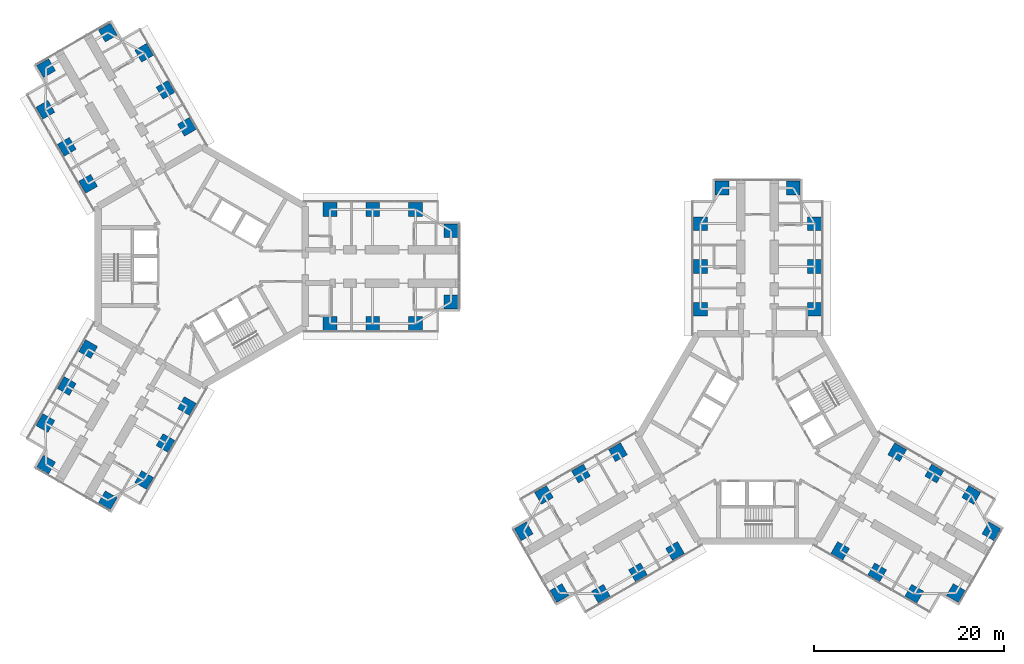
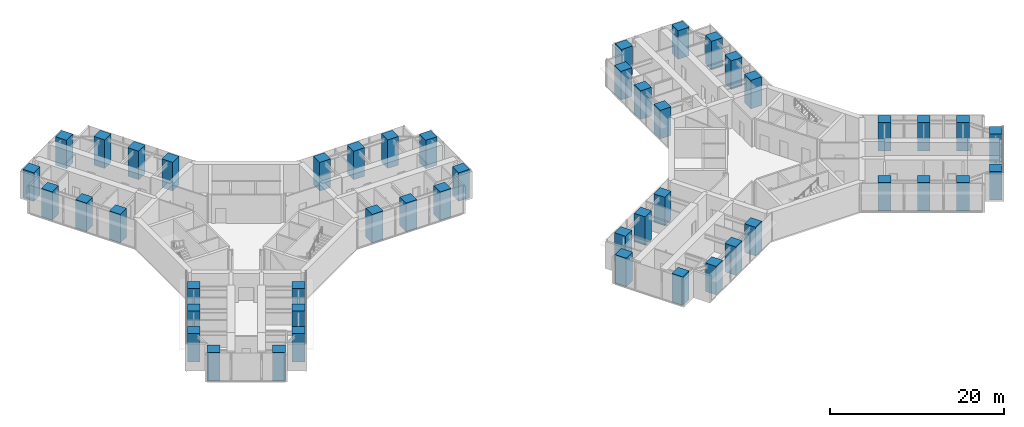
# One storey, part 1 of 24: 48 columns.
"""IFC4 building model written with IfcOpenShell, lengths in metres."""

from ifc_helpers import new_model, si_unit, direction, frame, origin, origin_2d, place, context, subcontext, project, spatial, rectangle, extrude, material, material_profile, profile_set, type_object, element, save


model = new_model("IFC4")

# Units and contexts
model_context = context("Model", 3, precision=1e-05, world=origin(), true_north=direction((0.0, 1.0)))
body_context = subcontext(model_context, "Body", "Model", "MODEL_VIEW")
ifc_project = project(units=[si_unit("LENGTHUNIT", "METRE"), si_unit("AREAUNIT", "SQUARE_METRE"), si_unit("VOLUMEUNIT", "CUBIC_METRE"), si_unit("PLANEANGLEUNIT", "RADIAN"), si_unit("MASSUNIT", "GRAM", prefix="KILO")], contexts=[model_context])

# Site, building, storey
site_placement = place(None, origin())
site = spatial("IfcSite", under=ifc_project, at=site_placement, CompositionType="ELEMENT")
building_placement = place(site_placement, origin())
building = spatial("IfcBuilding", under=site, at=building_placement, Name="Upepo Twin Towers", CompositionType="ELEMENT")
storey_placement = place(building_placement, frame((0.0, 0.0, 48.5)))
storey = spatial("IfcBuildingStorey", under=building, at=storey_placement, Name="L11", CompositionType="ELEMENT", Elevation=48.5)

# Columns
ifc_material = material(Name="Concrete C60/75", Category="concrete")
ifc_material_profile = material_profile(ifc_material, rectangle(XDim=1.449951171875, YDim=1.449951171875, at=origin_2d()), Name="RC 1450x1450")
ifc_profile_set = profile_set([ifc_material_profile], Name="Concrete C60/75")
column_type = type_object("IfcColumnType", Name="Tower column RC 1450x1450", PredefinedType="COLUMN", material=ifc_profile_set)
for number, where, z_axis, x_axis, name in (
    (1, (13.5, 6.0, 0.0), (0.0, 0.0, 1.0), (1.0, 0.0, 0.0), "T1 column AL135"),
    (2, (13.5, -6.0, 0.0), (0.0, 0.0, 1.0), (1.0, 0.0, 0.0), "T1 column AR135"),
    (3, (18.0, 6.0, 0.0), (0.0, 0.0, 1.0), (1.0, 0.0, 0.0), "T1 column AL180"),
    (4, (18.0, -6.0, 0.0), (0.0, 0.0, 1.0), (1.0, 0.0, 0.0), "T1 column AR180"),
    (5, (22.5, 6.0, 0.0), (0.0, 0.0, 1.0), (1.0, 0.0, 0.0), "T1 column AL225"),
    (6, (22.5, -6.0, 0.0), (0.0, 0.0, 1.0), (1.0, 0.0, 0.0), "T1 column AR225"),
    (7, (26.25, 3.75, 0.0), (0.0, 0.0, 1.0), (1.0, 0.0, 0.0), "T1 column ALN"),
    (8, (26.25, -3.75, 0.0), (0.0, 0.0, 1.0), (1.0, 0.0, 0.0), "T1 column ARN"),
    (9, (-11.946044921875, 8.69140625, 0.0), (0.0, 0.0, 1.0), (0.866025403784, 0.5, 0.0), "T1 column BL135"),
    (10, (-1.553955078125, 14.69140625, 0.0), (0.0, 0.0, 1.0), (0.866025403784, 0.5, 0.0), "T1 column BR135"),
    (11, (-14.196044921875, 12.58837890625, 0.0), (0.0, 0.0, 1.0), (0.866025403784, 0.5, 0.0), "T1 column BL180"),
    (12, (-3.803955078125, 18.58837890625, 0.0), (0.0, 0.0, 1.0), (0.866025403784, 0.5, 0.0), "T1 column BR180"),
    (13, (-16.446044921875, 16.485595703125, 0.0), (0.0, 0.0, 1.0), (0.866025403784, 0.5, 0.0), "T1 column BL225"),
    (14, (-6.053955078125, 22.485595703125, 0.0), (0.0, 0.0, 1.0), (0.866025403784, 0.5, 0.0), "T1 column BR225"),
    (15, (-16.37255859375, 20.858154296875, 0.0), (0.0, 0.0, 1.0), (0.866025403784, 0.5, 0.0), "T1 column BLN"),
    (16, (-9.87744140625, 24.608154296875, 0.0), (0.0, 0.0, 1.0), (0.866025403784, 0.5, 0.0), "T1 column BRN"),
    (17, (-1.553955078125, -14.69140625, 0.0), (0.0, 0.0, 1.0), (0.5, 0.866025403784, 0.0), "T1 column CL135"),
    (18, (-11.946044921875, -8.69140625, 0.0), (0.0, 0.0, 1.0), (0.5, 0.866025403784, 0.0), "T1 column CR135"),
    (19, (-3.803955078125, -18.58837890625, 0.0), (0.0, 0.0, 1.0), (0.5, 0.866025403784, 0.0), "T1 column CL180"),
    (20, (-14.196044921875, -12.58837890625, 0.0), (0.0, 0.0, 1.0), (0.5, 0.866025403784, 0.0), "T1 column CR180"),
    (21, (-6.053955078125, -22.485595703125, 0.0), (0.0, 0.0, 1.0), (0.5, 0.866025403784, 0.0), "T1 column CL225"),
    (22, (-16.446044921875, -16.485595703125, 0.0), (0.0, 0.0, 1.0), (0.5, 0.866025403784, 0.0), "T1 column CR225"),
    (23, (-9.87744140625, -24.608154296875, 0.0), (0.0, 0.0, 1.0), (0.5, 0.866025403784, 0.0), "T1 column CLN"),
    (24, (-16.37255859375, -20.858154296875, 0.0), (0.0, 0.0, 1.0), (0.5, 0.866025403784, 0.0), "T1 column CRN"),
    (25, (52.5, -4.5, 0.0), (0.0, 0.0, 1.0), (1.0, 0.0, 0.0), "T2 column AL135"),
    (26, (64.5, -4.5, 0.0), (0.0, 0.0, 1.0), (1.0, 0.0, 0.0), "T2 column AR135"),
    (27, (52.5, 0.0, 0.0), (0.0, 0.0, 1.0), (1.0, 0.0, 0.0), "T2 column AL180"),
    (28, (64.5, 0.0, 0.0), (0.0, 0.0, 1.0), (1.0, 0.0, 0.0), "T2 column AR180"),
    (29, (52.5, 4.5, 0.0), (0.0, 0.0, 1.0), (1.0, 0.0, 0.0), "T2 column AL225"),
    (30, (64.5, 4.5, 0.0), (0.0, 0.0, 1.0), (1.0, 0.0, 0.0), "T2 column AR225"),
    (31, (54.75, 8.25, 0.0), (0.0, 0.0, 1.0), (1.0, 0.0, 0.0), "T2 column ALN"),
    (32, (62.25, 8.25, 0.0), (0.0, 0.0, 1.0), (1.0, 0.0, 0.0), "T2 column ARN"),
    (33, (49.80859375, -29.946044921875, 0.0), (0.0, 0.0, 1.0), (0.866025403784, 0.5, 0.0), "T2 column BL135"),
    (34, (43.80859375, -19.553955078125, 0.0), (0.0, 0.0, 1.0), (0.866025403784, 0.5, 0.0), "T2 column BR135"),
    (35, (45.91162109375, -32.196044921875, 0.0), (0.0, 0.0, 1.0), (0.866025403784, 0.5, 0.0), "T2 column BL180"),
    (36, (39.91162109375, -21.803955078125, 0.0), (0.0, 0.0, 1.0), (0.866025403784, 0.5, 0.0), "T2 column BR180"),
    (37, (42.014404296875, -34.446044921875, 0.0), (0.0, 0.0, 1.0), (0.866025403784, 0.5, 0.0), "T2 column BL225"),
    (38, (36.014404296875, -24.053955078125, 0.0), (0.0, 0.0, 1.0), (0.866025403784, 0.5, 0.0), "T2 column BR225"),
    (39, (37.641845703125, -34.37255859375, 0.0), (0.0, 0.0, 1.0), (0.866025403784, 0.5, 0.0), "T2 column BLN"),
    (40, (33.891845703125, -27.87744140625, 0.0), (0.0, 0.0, 1.0), (0.866025403784, 0.5, 0.0), "T2 column BRN"),
    (41, (73.19140625, -19.553955078125, 0.0), (0.0, 0.0, 1.0), (0.5, 0.866025403784, 0.0), "T2 column CL135"),
    (42, (67.19140625, -29.946044921875, 0.0), (0.0, 0.0, 1.0), (0.5, 0.866025403784, 0.0), "T2 column CR135"),
    (43, (77.08837890625, -21.803955078125, 0.0), (0.0, 0.0, 1.0), (0.5, 0.866025403784, 0.0), "T2 column CL180"),
    (44, (71.08837890625, -32.196044921875, 0.0), (0.0, 0.0, 1.0), (0.5, 0.866025403784, 0.0), "T2 column CR180"),
    (45, (80.985595703125, -24.053955078125, 0.0), (0.0, 0.0, 1.0), (0.5, 0.866025403784, 0.0), "T2 column CL225"),
    (46, (74.985595703125, -34.446044921875, 0.0), (0.0, 0.0, 1.0), (0.5, 0.866025403784, 0.0), "T2 column CR225"),
    (47, (83.108154296875, -27.87744140625, 0.0), (0.0, 0.0, 1.0), (0.5, 0.866025403784, 0.0), "T2 column CLN"),
    (48, (79.358154296875, -34.37255859375, 0.0), (0.0, 0.0, 1.0), (0.5, 0.866025403784, 0.0), "T2 column CRN"),
):
    element("IfcColumn", number, at=place(storey_placement, frame(where, z_axis=z_axis, x_axis=x_axis)), inside=storey, type_object=column_type, Name=name, PredefinedType="COLUMN", context=body_context, shape_type="SweptSolid", body=[
        extrude(rectangle(XDim=1.449951171875, YDim=1.449951171875, at=origin_2d()), origin(), (0.0, 0.0, 1.0), 4.0),
    ])

save(model, "model.ifc")
